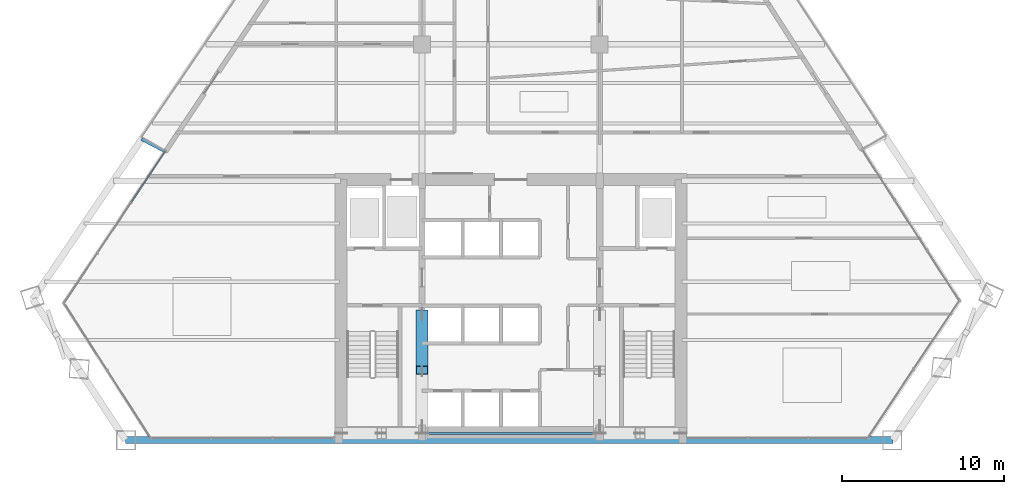
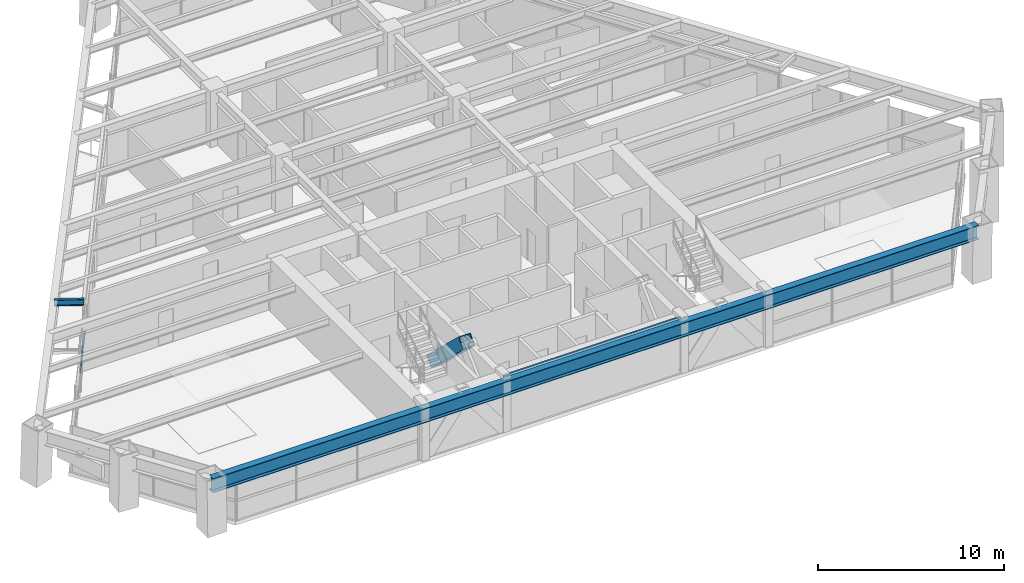
# One storey, part 3 of 15: 3 beams, 2 members, 1 element without a shape of its own.
"""IFC4 building model written with IfcOpenShell, lengths in metres."""

from ifc_helpers import new_model, si_unit, direction, frame, origin, origin_2d, place, context, subcontext, project, spatial, rectangle, hollow_rectangle, i_section, extrude, source, transform, mapped, material, material_profile, profile_set, type_object, type_shapes, element, aggregate, save


model = new_model("IFC4")

# Units and contexts
model_context = context("Model", 3, precision=1e-05, world=origin(), true_north=direction((0.0, 1.0)))
body_context = subcontext(model_context, "Body", "Model", "MODEL_VIEW")
ifc_project = project(units=[si_unit("LENGTHUNIT", "METRE"), si_unit("AREAUNIT", "SQUARE_METRE"), si_unit("VOLUMEUNIT", "CUBIC_METRE"), si_unit("PLANEANGLEUNIT", "RADIAN"), si_unit("MASSUNIT", "GRAM", prefix="KILO")], contexts=[model_context])

# Site, building, storey
site_placement = place(None, origin())
site = spatial("IfcSite", under=ifc_project, at=site_placement, CompositionType="ELEMENT")
building_placement = place(site_placement, origin())
building = spatial("IfcBuilding", under=site, at=building_placement, Name="Varnakhor Terracotta Tower", CompositionType="ELEMENT")
storey_placement = place(building_placement, frame((0.0, 0.0, 109.89990234375)))
storey = spatial("IfcBuildingStorey", under=building, at=storey_placement, Name="L27", CompositionType="ELEMENT", Elevation=109.89990234375)

# Beam
ifc_material_1 = material(Name="Steel S355", Category="steel")
ifc_material_profile_1 = material_profile(ifc_material_1, i_section(OverallWidth=0.1201171875, OverallDepth=0.239990234375, WebThickness=0.006103515625, FlangeThickness=0.009765625, FilletRadius=0.01806640625, at=origin_2d()), Name="IPE240")
ifc_profile_set_1 = profile_set([ifc_material_profile_1], Name="Steel S355")
beam_type_1 = type_object("IfcBeamType", Name="LNT-IPE240", PredefinedType="LINTEL", material=ifc_profile_set_1)
shared_shape_1 = source(origin(), body_context, "Body", "SweptSolid", [
    extrude(i_section(OverallWidth=0.1201171875, OverallDepth=0.239990234375, WebThickness=0.006103515625, FlangeThickness=0.009765625, FilletRadius=0.01806640625, at=origin_2d()), origin(), (0.0, 0.0, 1.0), 11.0),
])
type_shapes(beam_type_1, [shared_shape_1])
beam_1_placement = place(storey_placement, frame((-5.5, 0.419921875, 3.330078125), z_axis=(1.0, 0.0, 0.0), x_axis=(0.0, 1.0, 0.0)))
element("IfcBeam", 1, at=beam_1_placement, inside=storey, type_object=beam_type_1, Name="L27 Core South Coupling Lintel", PredefinedType="LINTEL", context=body_context, shape_type="MappedRepresentation", body=[
    mapped(shared_shape_1, transform((0.0, 0.0, 0.0), scale=1.0)),
])

# Member
ifc_material_2 = material(Name="Steel S460", Category="steel")
ifc_material_profile_2 = material_profile(ifc_material_2, hollow_rectangle(XDim=0.75, YDim=0.75, WallThickness=0.044921875, at=origin_2d()), Name="HSS750X750X45")
ifc_profile_set_2 = profile_set([ifc_material_profile_2], Name="Steel S460")
member_type_1 = type_object("IfcMemberType", Name="MBR-MEGA-750", PredefinedType="BRACE", material=ifc_profile_set_2)
shared_shape_2 = source(origin(), body_context, "Body", "SweptSolid", [
    extrude(hollow_rectangle(XDim=0.75, YDim=0.75, WallThickness=0.044921875, at=origin_2d()), origin(), (0.0, 0.0, 1.0), 4.792236328125),
])
member_1_placement = place(storey_placement, frame((-5.5, 7.800048828125, 0.0), z_axis=(0.0, -0.72513424341, 0.688607529028), x_axis=(1.0, 0.0, 0.0)))
element("IfcMember", 2, at=member_1_placement, inside=storey, type_object=member_type_1, Name="L27 Core Coupled Brace CWWB", PredefinedType="BRACE", context=body_context, shape_type="MappedRepresentation", body=[
    mapped(shared_shape_2, transform((0.0, 0.0, 0.0), scale=1.0)),
])

# Beam
ifc_material_profile_3 = material_profile(ifc_material_1, i_section(OverallWidth=0.41796875, OverallDepth=0.927001953125, WebThickness=0.01904296875, FlangeThickness=0.031982421875, FilletRadius=0.01806640625, at=origin_2d()), Name="W36X231")
ifc_profile_set_3 = profile_set([ifc_material_profile_3], Name="Steel S355")
beam_type_2 = type_object("IfcBeamType", Name="BM-W36X231", PredefinedType="BEAM", material=ifc_profile_set_3)
shared_shape_3 = source(origin(), body_context, "Body", "SweptSolid", [
    extrude(i_section(OverallWidth=0.41796875, OverallDepth=0.927001953125, WebThickness=0.01904296875, FlangeThickness=0.031982421875, FilletRadius=0.01806640625, at=origin_2d()), origin(), (0.0, 0.0, 1.0), 47.510009765625),
])
beam_2_placement = place(storey_placement, frame((-23.860107421875, 0.0, 2.986572265625), z_axis=(1.0, 0.0, 0.0), x_axis=(0.0, 1.0, 0.0)))
element("IfcBeam", 3, at=beam_2_placement, inside=storey, type_object=beam_type_2, Name="L27 Perimeter Spandrel 1", PredefinedType="BEAM", context=body_context, shape_type="MappedRepresentation", body=[
    mapped(shared_shape_3, transform((0.0, 0.0, 0.0), scale=1.0)),
])

# Curtain wall, member
ifc_material_3 = material(Name="Anodised Aluminium Curtain Wall System", Category="aluminium")
curtain_wall_type = type_object("IfcCurtainWallType", Name="CW-SYS-LOW-OFFICE", PredefinedType="NOTDEFINED", material=ifc_material_3)
curtain_wall_placement = place(storey_placement, origin())
curtain_wall = element("IfcCurtainWall", 4, at=curtain_wall_placement, inside=storey, type_object=curtain_wall_type, Name="L27 W Facet Curtain Wall 1", PredefinedType="NOTDEFINED")
ifc_material_4 = material(Name="Anodised Aluminium 6063-T6", Category="aluminium")
ifc_material_profile_4 = material_profile(ifc_material_4, rectangle(XDim=0.074951171875, YDim=0.1650390625, at=origin_2d()), Name="ALU TRANSOM 75x165")
ifc_profile_set_4 = profile_set([ifc_material_profile_4], Name="Anodised Aluminium 6063-T6")
member_type_2 = type_object("IfcMemberType", Name="CWT-02", PredefinedType="USERDEFINED", material=ifc_profile_set_4)
shared_shape_4 = source(origin(), body_context, "Body", "SweptSolid", [
    extrude(rectangle(XDim=0.074951171875, YDim=0.1650390625, at=origin_2d()), origin(), (0.0, 0.0, 1.0), 3.77490234375),
])
member_2_placement = place(storey_placement, frame((-23.490234375, 14.72412109375, 1.272705078125), z_axis=(0.554789744238, 0.831990588702, 0.0), x_axis=(-0.831990588702, 0.554789744238, 0.0)))
member_2 = element("IfcMember", 5, at=member_2_placement, type_object=member_type_2, Name="L27 W Facet Curtain Wall 1 Transom 3", ObjectType="TRANSOM", PredefinedType="USERDEFINED", context=body_context, shape_type="MappedRepresentation", body=[
    mapped(shared_shape_4, transform((0.0, 0.0, 0.0), scale=1.0)),
])
aggregate(curtain_wall, [member_2])

# Beam
ifc_material_profile_5 = material_profile(ifc_material_1, i_section(OverallWidth=0.179931640625, OverallDepth=0.39990234375, WebThickness=0.008544921875, FlangeThickness=0.013427734375, FilletRadius=0.01806640625, at=origin_2d()), Name="IPE400")
ifc_profile_set_5 = profile_set([ifc_material_profile_5], Name="Steel S355")
beam_type_3 = type_object("IfcBeamType", Name="JST-IPE400", PredefinedType="JOIST", material=ifc_profile_set_5)
shared_shape_5 = source(origin(), body_context, "Body", "SweptSolid", [
    extrude(i_section(OverallWidth=0.179931640625, OverallDepth=0.39990234375, WebThickness=0.008544921875, FlangeThickness=0.013427734375, FilletRadius=0.01806640625, at=origin_2d()), origin(), (0.0, 0.0, 1.0), 1.615234375),
])
beam_3_placement = place(storey_placement, frame((-21.425048828125, 17.876708984375, 3.25), z_axis=(-0.884386486019, 0.466755335639, 0.0), x_axis=(-0.466755335639, -0.884386486019, 0.0)))
element("IfcBeam", 6, at=beam_3_placement, inside=storey, type_object=beam_type_3, Name="L28 W Loggia Tie Beam 1", PredefinedType="JOIST", context=body_context, shape_type="MappedRepresentation", body=[
    mapped(shared_shape_5, transform((0.0, 0.0, 0.0), scale=1.0)),
])

save(model, "model.ifc")
